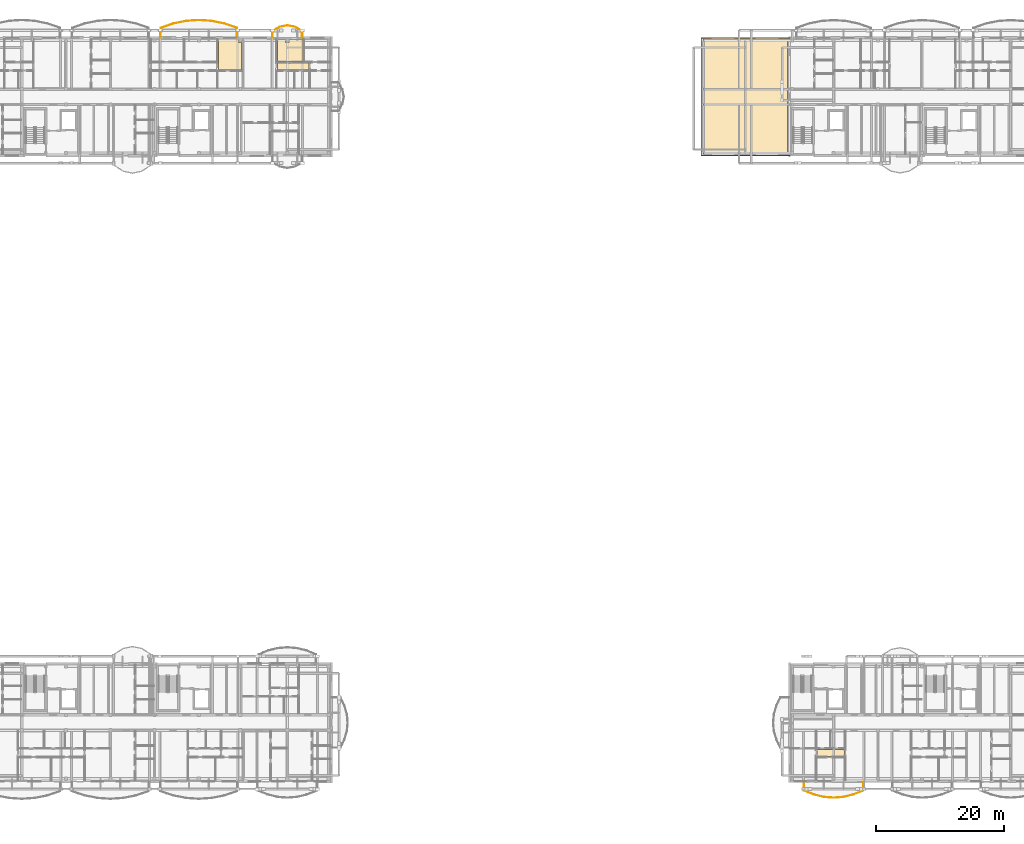
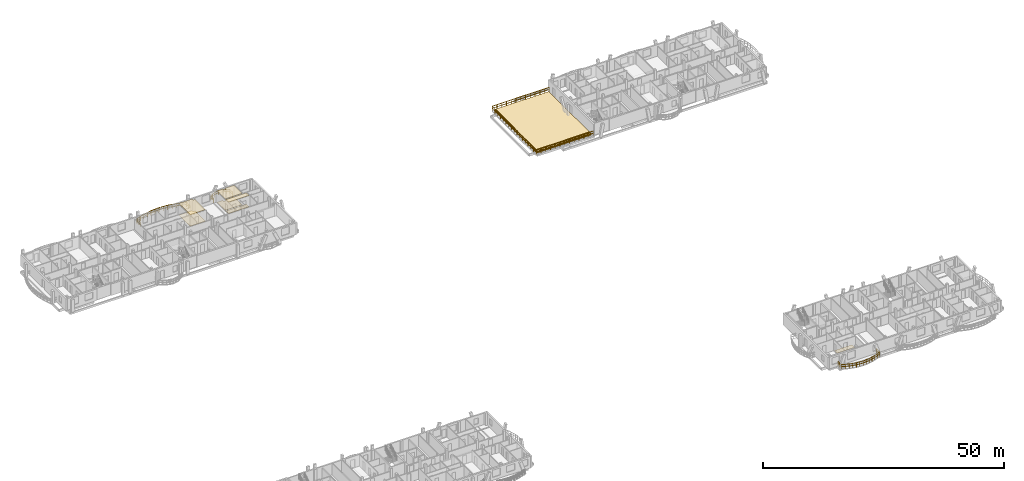
# One storey, part 40 of 44: 8 coverings, 4 railings.
"""IFC4 building model written with IfcOpenShell, lengths in metres."""

from ifc_helpers import new_model, si_unit, direction, frame, origin, origin_2d, place, context, subcontext, project, spatial, polyline, rectangle, outline, extrude, material, layer, layer_set, type_object, element, save


model = new_model("IFC4")

# Units and contexts
model_context = context("Model", 3, precision=1e-05, world=origin(), true_north=direction((0.0, 1.0)))
body_context = subcontext(model_context, "Body", "Model", "MODEL_VIEW")
ifc_project = project(units=[si_unit("LENGTHUNIT", "METRE"), si_unit("AREAUNIT", "SQUARE_METRE"), si_unit("VOLUMEUNIT", "CUBIC_METRE"), si_unit("PLANEANGLEUNIT", "RADIAN"), si_unit("MASSUNIT", "GRAM", prefix="KILO")], contexts=[model_context])

# Site, building, storey
site_placement = place(None, origin())
site = spatial("IfcSite", under=ifc_project, at=site_placement, CompositionType="ELEMENT")
building_placement = place(site_placement, origin())
building = spatial("IfcBuilding", under=site, at=building_placement, Name="Zavelmont Quarter", CompositionType="ELEMENT")
storey_placement = place(building_placement, frame((0.0, 0.0, 20.800048828125)))
storey = spatial("IfcBuildingStorey", under=building, at=storey_placement, Name="L06", CompositionType="ELEMENT", Elevation=20.800048828125)

# Coverings
ifc_material_1 = material(Name="Perforated acoustic gypsum board")
ifc_layer_1 = layer(ifc_material_1, 0.02490234375)
ifc_layer_set_1 = layer_set([ifc_layer_1], Name="Perforated acoustic gypsum board")
covering_type_1 = type_object("IfcCoveringType", Name="CV-CL01", PredefinedType="CEILING", material=ifc_layer_set_1)
covering_1_placement = place(storey_placement, frame((0.0, 0.0, 2.925048828125)))
element("IfcCovering", 1, at=covering_1_placement, inside=storey, type_object=covering_type_1, Name="L06 Master Bedroom acoustic ceiling", PredefinedType="CEILING", context=body_context, shape_type="SweptSolid", body=[
    extrude(outline(polyline([(37.530029296875, 115.719970703125), (40.695068359375, 115.719970703125), (40.695068359375, 115.294921875), (41.169921875, 115.294921875), (41.169921875, 110.97998046875), (37.530029296875, 110.97998046875), (37.530029296875, 115.719970703125)])), origin(), (0.0, 0.0, 1.0), 0.02490234375),
])
covering_2_placement = place(storey_placement, frame((0.0, 0.0, 2.885009765625)))
element("IfcCovering", 2, at=covering_2_placement, inside=storey, type_object=covering_type_1, Name="L06 Master Bedroom acoustic ceiling", PredefinedType="CEILING", context=body_context, shape_type="SweptSolid", body=[
    extrude(outline(polyline([(46.72998046875, 115.719970703125), (48.034912109375, 115.719970703125), (48.034912109375, 115.294921875), (48.56494140625, 115.294921875), (48.56494140625, 115.719970703125), (50.77001953125, 115.719970703125), (50.77001953125, 112.330078125), (46.72998046875, 112.330078125), (46.72998046875, 115.719970703125)])), origin(), (0.0, 0.0, 1.0), 0.02490234375),
])
ifc_material_2 = material(Name="Slatted European ash acoustic baffle ceiling")
ifc_layer_2 = layer(ifc_material_2, 0.0400390625)
ifc_layer_set_2 = layer_set([ifc_layer_2], Name="Slatted European ash acoustic baffle ceiling")
covering_type_2 = type_object("IfcCoveringType", Name="CV-CL02", PredefinedType="CEILING", material=ifc_layer_set_2)
covering_3_placement = place(storey_placement, frame((0.0, 0.0, 2.869873046875)))
element("IfcCovering", 3, at=covering_3_placement, inside=storey, type_object=covering_type_2, Name="L06 Apartment Hall acoustic ceiling", PredefinedType="CEILING", context=body_context, shape_type="SweptSolid", body=[
    extrude(outline(polyline([(46.72998046875, 112.070068359375), (51.669921875, 112.070068359375), (51.669921875, 110.97998046875), (46.72998046875, 110.97998046875), (46.72998046875, 112.070068359375)])), origin(), (0.0, 0.0, 1.0), 0.0400390625),
])
ifc_material_3 = material(Name="Engineered European oak parquet")
ifc_layer_3 = layer(ifc_material_3, 0.02197265625)
ifc_layer_set_3 = layer_set([ifc_layer_3], Name="Engineered European oak parquet")
covering_type_3 = type_object("IfcCoveringType", Name="CV-FL01", PredefinedType="FLOORING", material=ifc_layer_set_3)
covering_4_placement = place(storey_placement, origin())
element("IfcCovering", 4, at=covering_4_placement, inside=storey, type_object=covering_type_3, Name="L06 Master Bedroom floor finish", PredefinedType="FLOORING", context=body_context, shape_type="SweptSolid", body=[
    extrude(outline(polyline([(37.530029296875, 115.719970703125), (40.695068359375, 115.719970703125), (40.695068359375, 115.294921875), (41.169921875, 115.294921875), (41.169921875, 110.97998046875), (37.530029296875, 110.97998046875), (37.530029296875, 115.719970703125)])), origin(), (0.0, 0.0, 1.0), 0.02197265625),
])
covering_5_placement = place(storey_placement, origin())
element("IfcCovering", 5, at=covering_5_placement, inside=storey, type_object=covering_type_3, Name="L06 Master Bedroom floor finish", PredefinedType="FLOORING", context=body_context, shape_type="SweptSolid", body=[
    extrude(outline(polyline([(46.72998046875, 115.719970703125), (48.034912109375, 115.719970703125), (48.034912109375, 115.294921875), (48.56494140625, 115.294921875), (48.56494140625, 115.719970703125), (50.77001953125, 115.719970703125), (50.77001953125, 112.330078125), (46.72998046875, 112.330078125), (46.72998046875, 115.719970703125)])), origin(), (0.0, 0.0, 1.0), 0.02197265625),
])
ifc_material_4 = material(Name="Honed Belgian bluestone tile", Category="masonry")
ifc_layer_4 = layer(ifc_material_4, 0.030029296875)
ifc_layer_set_4 = layer_set([ifc_layer_4], Name="Honed Belgian bluestone tile")
covering_type_4 = type_object("IfcCoveringType", Name="CV-FL02", PredefinedType="FLOORING", material=ifc_layer_set_4)
covering_6_placement = place(storey_placement, origin())
element("IfcCovering", 6, at=covering_6_placement, inside=storey, type_object=covering_type_4, Name="L06 Apartment Hall floor finish", PredefinedType="FLOORING", context=body_context, shape_type="SweptSolid", body=[
    extrude(outline(polyline([(46.72998046875, 112.070068359375), (51.669921875, 112.070068359375), (51.669921875, 110.97998046875), (46.72998046875, 110.97998046875), (46.72998046875, 112.070068359375)])), origin(), (0.0, 0.0, 1.0), 0.030029296875),
])
covering_7_placement = place(storey_placement, origin())
element("IfcCovering", 7, at=covering_7_placement, inside=storey, type_object=covering_type_4, Name="L06 Apartment Hall floor finish", PredefinedType="FLOORING", context=body_context, shape_type="SweptSolid", body=[
    extrude(outline(polyline([(130.929931640625, 5.02001953125), (135.169921875, 5.02001953125), (135.169921875, 3.929931640625), (130.929931640625, 3.929931640625), (130.929931640625, 5.02001953125)])), origin(), (0.0, 0.0, 1.0), 0.030029296875),
])
ifc_material_5 = material(Name="EPDM waterproofing membrane and mineral insulation")
ifc_layer_5 = layer(ifc_material_5, 0.280029296875)
ifc_layer_set_5 = layer_set([ifc_layer_5], Name="EPDM waterproofing membrane and mineral insulation")
covering_type_5 = type_object("IfcCoveringType", Name="CV-RF02", PredefinedType="ROOFING", material=ifc_layer_set_5)
covering_8_placement = place(storey_placement, origin())
element("IfcCovering", 8, at=covering_8_placement, inside=storey, type_object=covering_type_5, Name="L06 roof build-up CV-RF02", PredefinedType="ROOFING", context=body_context, shape_type="SweptSolid", body=[
    extrude(outline(polyline([(113.10009765625, 97.89990234375), (126.300048828125, 97.89990234375), (126.300048828125, 115.699951171875), (113.10009765625, 115.699951171875), (113.10009765625, 97.89990234375)])), origin(), (0.0, 0.0, 1.0), 0.280029296875),
])

# Railings
ifc_material_6 = material(Name="Powder-coated steel and tempered double safety glass", Category="steel")
railing_type_1 = type_object("IfcRailingType", Name="RL-BAL1", PredefinedType="BALUSTRADE", material=ifc_material_6)
railing_1_placement = place(storey_placement, frame((40.445556640625, 116.02001953125, 0.0)))
element("IfcRailing", 9, at=railing_1_placement, inside=storey, type_object=railing_type_1, Name="L06 Block B curved balcony guard RL-BAL1", PredefinedType="BALUSTRADE", context=body_context, shape_type="SweptSolid", body=[
    extrude(rectangle(XDim=0.048095703125, YDim=0.048095703125, at=origin_2d()), frame((0.0, 0.0, 1.076171875), z_axis=(0.0, 1.0, 0.0), x_axis=(-1.0, 0.0, 0.0)), (0.0, 0.0, 1.0), 1.518798828125),
    extrude(rectangle(XDim=0.048095703125, YDim=0.048095703125, at=origin_2d()), frame((0.0, 0.0, 0.550048828125), z_axis=(0.0, 1.0, 0.0), x_axis=(-1.0, 0.0, 0.0)), (0.0, 0.0, 1.0), 1.518798828125),
    extrude(rectangle(XDim=0.048095703125, YDim=0.048095703125, at=origin_2d()), frame((0.0, 1.518798828125, 1.076171875), z_axis=(-0.94706106975, 0.321053469322, 0.0), x_axis=(-0.321053469322, -0.94706106975, 0.0)), (0.0, 0.0, 1.0), 2.0927734375),
    extrude(rectangle(XDim=0.048095703125, YDim=0.048095703125, at=origin_2d()), frame((0.0, 1.518798828125, 0.550048828125), z_axis=(-0.94706106975, 0.321053469322, 0.0), x_axis=(-0.321053469322, -0.94706106975, 0.0)), (0.0, 0.0, 1.0), 2.0927734375),
    extrude(rectangle(XDim=0.048095703125, YDim=0.048095703125, at=origin_2d()), frame((-1.98193359375, 2.190673828125, 1.076171875), z_axis=(-0.979934663998, 0.199318976255, 0.0), x_axis=(-0.199318976255, -0.979934663998, 0.0)), (0.0, 0.0, 1.0), 2.022216796875),
    extrude(rectangle(XDim=0.048095703125, YDim=0.048095703125, at=origin_2d()), frame((-1.98193359375, 2.190673828125, 0.550048828125), z_axis=(-0.979934663998, 0.199318976255, 0.0), x_axis=(-0.199318976255, -0.979934663998, 0.0)), (0.0, 0.0, 1.0), 2.022216796875),
    extrude(rectangle(XDim=0.048095703125, YDim=0.048095703125, at=origin_2d()), frame((-3.963623046875, 2.59375, 1.076171875), z_axis=(-0.997712793816, 0.067595717738, 0.0), x_axis=(-0.067595717738, -0.997712793816, 0.0)), (0.0, 0.0, 1.0), 1.986572265625),
    extrude(rectangle(XDim=0.048095703125, YDim=0.048095703125, at=origin_2d()), frame((-3.963623046875, 2.59375, 0.550048828125), z_axis=(-0.997712793816, 0.067595717738, 0.0), x_axis=(-0.067595717738, -0.997712793816, 0.0)), (0.0, 0.0, 1.0), 1.986572265625),
    extrude(rectangle(XDim=0.048095703125, YDim=0.048095703125, at=origin_2d()), frame((-5.945556640625, 2.72802734375, 1.076171875), z_axis=(-0.997712793816, -0.067595717738, 0.0), x_axis=(0.067595717738, -0.997712793816, 0.0)), (0.0, 0.0, 1.0), 1.986572265625),
    extrude(rectangle(XDim=0.048095703125, YDim=0.048095703125, at=origin_2d()), frame((-5.945556640625, 2.72802734375, 0.550048828125), z_axis=(-0.997712793816, -0.067595717738, 0.0), x_axis=(0.067595717738, -0.997712793816, 0.0)), (0.0, 0.0, 1.0), 1.986572265625),
    extrude(rectangle(XDim=0.048095703125, YDim=0.048095703125, at=origin_2d()), frame((-7.927490234375, 2.59375, 1.076171875), z_axis=(-0.979934663998, -0.199318976255, 0.0), x_axis=(0.199318976255, -0.979934663998, 0.0)), (0.0, 0.0, 1.0), 2.022216796875),
    extrude(rectangle(XDim=0.048095703125, YDim=0.048095703125, at=origin_2d()), frame((-7.927490234375, 2.59375, 0.550048828125), z_axis=(-0.979934663998, -0.199318976255, 0.0), x_axis=(0.199318976255, -0.979934663998, 0.0)), (0.0, 0.0, 1.0), 2.022216796875),
    extrude(rectangle(XDim=0.048095703125, YDim=0.048095703125, at=origin_2d()), frame((-9.9091796875, 2.190673828125, 1.076171875), z_axis=(-0.94706106975, -0.321053469322, 0.0), x_axis=(0.321053469322, -0.94706106975, 0.0)), (0.0, 0.0, 1.0), 2.0927734375),
    extrude(rectangle(XDim=0.048095703125, YDim=0.048095703125, at=origin_2d()), frame((-9.9091796875, 2.190673828125, 0.550048828125), z_axis=(-0.94706106975, -0.321053469322, 0.0), x_axis=(0.321053469322, -0.94706106975, 0.0)), (0.0, 0.0, 1.0), 2.0927734375),
    extrude(rectangle(XDim=0.048095703125, YDim=0.048095703125, at=origin_2d()), frame((-11.89111328125, 1.518798828125, 1.076171875), z_axis=(0.0, -1.0, 0.0), x_axis=(1.0, 0.0, 0.0)), (0.0, 0.0, 1.0), 1.518798828125),
    extrude(rectangle(XDim=0.048095703125, YDim=0.048095703125, at=origin_2d()), frame((-11.89111328125, 1.518798828125, 0.550048828125), z_axis=(0.0, -1.0, 0.0), x_axis=(1.0, 0.0, 0.0)), (0.0, 0.0, 1.0), 1.518798828125),
    extrude(rectangle(XDim=0.0419921875, YDim=0.0419921875, at=origin_2d()), origin(), (0.0, 0.0, 1.0), 1.052001953125),
    extrude(rectangle(XDim=0.0419921875, YDim=0.0419921875, at=origin_2d()), frame((0.0, 0.75927734375, 0.0)), (0.0, 0.0, 1.0), 1.052001953125),
    extrude(rectangle(XDim=0.0419921875, YDim=0.0419921875, at=origin_2d()), frame((0.0, 1.518798828125, 0.0)), (0.0, 0.0, 1.0), 1.052001953125),
    extrude(rectangle(XDim=0.0419921875, YDim=0.0419921875, at=origin_2d()), frame((-0.990966796875, 1.854736328125, 0.0)), (0.0, 0.0, 1.0), 1.052001953125),
    extrude(rectangle(XDim=0.0419921875, YDim=0.0419921875, at=origin_2d()), frame((-1.98193359375, 2.190673828125, 0.0)), (0.0, 0.0, 1.0), 1.052001953125),
    extrude(rectangle(XDim=0.0419921875, YDim=0.0419921875, at=origin_2d()), frame((-2.97265625, 2.39208984375, 0.0)), (0.0, 0.0, 1.0), 1.052001953125),
    extrude(rectangle(XDim=0.0419921875, YDim=0.0419921875, at=origin_2d()), frame((-3.963623046875, 2.59375, 0.0)), (0.0, 0.0, 1.0), 1.052001953125),
    extrude(rectangle(XDim=0.0419921875, YDim=0.0419921875, at=origin_2d()), frame((-4.95458984375, 2.660888671875, 0.0)), (0.0, 0.0, 1.0), 1.052001953125),
    extrude(rectangle(XDim=0.0419921875, YDim=0.0419921875, at=origin_2d()), frame((-5.945556640625, 2.72802734375, 0.0)), (0.0, 0.0, 1.0), 1.052001953125),
    extrude(rectangle(XDim=0.0419921875, YDim=0.0419921875, at=origin_2d()), frame((-6.9365234375, 2.660888671875, 0.0)), (0.0, 0.0, 1.0), 1.052001953125),
    extrude(rectangle(XDim=0.0419921875, YDim=0.0419921875, at=origin_2d()), frame((-7.927490234375, 2.59375, 0.0)), (0.0, 0.0, 1.0), 1.052001953125),
    extrude(rectangle(XDim=0.0419921875, YDim=0.0419921875, at=origin_2d()), frame((-8.91845703125, 2.39208984375, 0.0)), (0.0, 0.0, 1.0), 1.052001953125),
    extrude(rectangle(XDim=0.0419921875, YDim=0.0419921875, at=origin_2d()), frame((-9.9091796875, 2.190673828125, 0.0)), (0.0, 0.0, 1.0), 1.052001953125),
    extrude(rectangle(XDim=0.0419921875, YDim=0.0419921875, at=origin_2d()), frame((-10.900146484375, 1.854736328125, 0.0)), (0.0, 0.0, 1.0), 1.052001953125),
    extrude(rectangle(XDim=0.0419921875, YDim=0.0419921875, at=origin_2d()), frame((-11.89111328125, 1.518798828125, 0.0)), (0.0, 0.0, 1.0), 1.052001953125),
    extrude(rectangle(XDim=0.0419921875, YDim=0.0419921875, at=origin_2d()), frame((-11.89111328125, 0.75927734375, 0.0)), (0.0, 0.0, 1.0), 1.052001953125),
    extrude(rectangle(XDim=0.0419921875, YDim=0.0419921875, at=origin_2d()), frame((-11.89111328125, 0.0, 0.0)), (0.0, 0.0, 1.0), 1.052001953125),
])
railing_2_placement = place(storey_placement, frame((50.5654296875, 116.02001953125, 0.0)))
element("IfcRailing", 10, at=railing_2_placement, inside=storey, type_object=railing_type_1, Name="L06 Block B curved balcony guard RL-BAL1", PredefinedType="BALUSTRADE", context=body_context, shape_type="SweptSolid", body=[
    extrude(rectangle(XDim=0.048095703125, YDim=0.048095703125, at=origin_2d()), frame((0.0, 0.0, 1.076171875), z_axis=(0.0, 1.0, 0.0), x_axis=(-1.0, 0.0, 0.0)), (0.0, 0.0, 1.0), 1.080078125),
    extrude(rectangle(XDim=0.048095703125, YDim=0.048095703125, at=origin_2d()), frame((0.0, 0.0, 0.550048828125), z_axis=(0.0, 1.0, 0.0), x_axis=(-1.0, 0.0, 0.0)), (0.0, 0.0, 1.0), 1.080078125),
    extrude(rectangle(XDim=0.048095703125, YDim=0.048095703125, at=origin_2d()), frame((0.0, 1.080078125, 1.076171875), z_axis=(-0.87908029831, 0.47667371348, 0.0), x_axis=(-0.47667371348, -0.87908029831, 0.0)), (0.0, 0.0, 1.0), 1.28857421875),
    extrude(rectangle(XDim=0.048095703125, YDim=0.048095703125, at=origin_2d()), frame((0.0, 1.080078125, 0.550048828125), z_axis=(-0.87908029831, 0.47667371348, 0.0), x_axis=(-0.47667371348, -0.87908029831, 0.0)), (0.0, 0.0, 1.0), 1.28857421875),
    extrude(rectangle(XDim=0.048095703125, YDim=0.048095703125, at=origin_2d()), frame((-1.1328125, 1.6943359375, 1.076171875), z_axis=(-0.984072917744, 0.177765273781, 0.0), x_axis=(-0.177765273781, -0.984072917744, 0.0)), (0.0, 0.0, 1.0), 1.15087890625),
    extrude(rectangle(XDim=0.048095703125, YDim=0.048095703125, at=origin_2d()), frame((-1.1328125, 1.6943359375, 0.550048828125), z_axis=(-0.984072917744, 0.177765273781, 0.0), x_axis=(-0.177765273781, -0.984072917744, 0.0)), (0.0, 0.0, 1.0), 1.15087890625),
    extrude(rectangle(XDim=0.048095703125, YDim=0.048095703125, at=origin_2d()), frame((-2.265380859375, 1.89892578125, 1.076171875), z_axis=(-0.984079619071, -0.177728172582, 0.0), x_axis=(0.177728172582, -0.984079619071, 0.0)), (0.0, 0.0, 1.0), 1.151123046875),
    extrude(rectangle(XDim=0.048095703125, YDim=0.048095703125, at=origin_2d()), frame((-2.265380859375, 1.89892578125, 0.550048828125), z_axis=(-0.984079619071, -0.177728172582, 0.0), x_axis=(0.177728172582, -0.984079619071, 0.0)), (0.0, 0.0, 1.0), 1.151123046875),
    extrude(rectangle(XDim=0.048095703125, YDim=0.048095703125, at=origin_2d()), frame((-3.398193359375, 1.6943359375, 1.076171875), z_axis=(-0.87908029831, -0.47667371348, 0.0), x_axis=(0.47667371348, -0.87908029831, 0.0)), (0.0, 0.0, 1.0), 1.28857421875),
    extrude(rectangle(XDim=0.048095703125, YDim=0.048095703125, at=origin_2d()), frame((-3.398193359375, 1.6943359375, 0.550048828125), z_axis=(-0.87908029831, -0.47667371348, 0.0), x_axis=(0.47667371348, -0.87908029831, 0.0)), (0.0, 0.0, 1.0), 1.28857421875),
    extrude(rectangle(XDim=0.048095703125, YDim=0.048095703125, at=origin_2d()), frame((-4.531005859375, 1.080078125, 1.076171875), z_axis=(0.0, -1.0, 0.0), x_axis=(1.0, 0.0, 0.0)), (0.0, 0.0, 1.0), 1.080078125),
    extrude(rectangle(XDim=0.048095703125, YDim=0.048095703125, at=origin_2d()), frame((-4.531005859375, 1.080078125, 0.550048828125), z_axis=(0.0, -1.0, 0.0), x_axis=(1.0, 0.0, 0.0)), (0.0, 0.0, 1.0), 1.080078125),
    extrude(rectangle(XDim=0.0419921875, YDim=0.0419921875, at=origin_2d()), origin(), (0.0, 0.0, 1.0), 1.052001953125),
    extrude(rectangle(XDim=0.0419921875, YDim=0.0419921875, at=origin_2d()), frame((0.0, 1.080078125, 0.0)), (0.0, 0.0, 1.0), 1.052001953125),
    extrude(rectangle(XDim=0.0419921875, YDim=0.0419921875, at=origin_2d()), frame((-0.56640625, 1.38720703125, 0.0)), (0.0, 0.0, 1.0), 1.052001953125),
    extrude(rectangle(XDim=0.0419921875, YDim=0.0419921875, at=origin_2d()), frame((-1.1328125, 1.6943359375, 0.0)), (0.0, 0.0, 1.0), 1.052001953125),
    extrude(rectangle(XDim=0.0419921875, YDim=0.0419921875, at=origin_2d()), frame((-2.265380859375, 1.89892578125, 0.0)), (0.0, 0.0, 1.0), 1.052001953125),
    extrude(rectangle(XDim=0.0419921875, YDim=0.0419921875, at=origin_2d()), frame((-3.398193359375, 1.6943359375, 0.0)), (0.0, 0.0, 1.0), 1.052001953125),
    extrude(rectangle(XDim=0.0419921875, YDim=0.0419921875, at=origin_2d()), frame((-3.964599609375, 1.38720703125, 0.0)), (0.0, 0.0, 1.0), 1.052001953125),
    extrude(rectangle(XDim=0.0419921875, YDim=0.0419921875, at=origin_2d()), frame((-4.531005859375, 1.080078125, 0.0)), (0.0, 0.0, 1.0), 1.052001953125),
    extrude(rectangle(XDim=0.0419921875, YDim=0.0419921875, at=origin_2d()), frame((-4.531005859375, 0.0, 0.0)), (0.0, 0.0, 1.0), 1.052001953125),
])
railing_3_placement = place(storey_placement, frame((128.88525390625, -0.02001953125, 0.0)))
element("IfcRailing", 11, at=railing_3_placement, inside=storey, type_object=railing_type_1, Name="L06 Block D curved balcony guard RL-BAL1", PredefinedType="BALUSTRADE", context=body_context, shape_type="SweptSolid", body=[
    extrude(rectangle(XDim=0.048095703125, YDim=0.048095703125, at=origin_2d()), frame((0.0, 0.0, 1.076171875), z_axis=(0.0, -1.0, 0.0), x_axis=(1.0, 0.0, 0.0)), (0.0, 0.0, 1.0), 1.392333984375),
    extrude(rectangle(XDim=0.048095703125, YDim=0.048095703125, at=origin_2d()), frame((0.0, 0.0, 0.550048828125), z_axis=(0.0, -1.0, 0.0), x_axis=(1.0, 0.0, 0.0)), (0.0, 0.0, 1.0), 1.392333984375),
    extrude(rectangle(XDim=0.048095703125, YDim=0.048095703125, at=origin_2d()), frame((0.0, -1.392333984375, 1.076171875), z_axis=(0.928242832261, -0.371974789947, 0.0), x_axis=(0.371974789947, 0.928242832261, 0.0)), (0.0, 0.0, 1.0), 1.6572265625),
    extrude(rectangle(XDim=0.048095703125, YDim=0.048095703125, at=origin_2d()), frame((0.0, -1.392333984375, 0.550048828125), z_axis=(0.928242832261, -0.371974789947, 0.0), x_axis=(0.371974789947, 0.928242832261, 0.0)), (0.0, 0.0, 1.0), 1.6572265625),
    extrude(rectangle(XDim=0.048095703125, YDim=0.048095703125, at=origin_2d()), frame((1.538330078125, -2.0087890625, 1.076171875), z_axis=(0.972290572243, -0.233775625607, 0.0), x_axis=(0.233775625607, 0.972290572243, 0.0)), (0.0, 0.0, 1.0), 1.582275390625),
    extrude(rectangle(XDim=0.048095703125, YDim=0.048095703125, at=origin_2d()), frame((1.538330078125, -2.0087890625, 0.550048828125), z_axis=(0.972290572243, -0.233775625607, 0.0), x_axis=(0.233775625607, 0.972290572243, 0.0)), (0.0, 0.0, 1.0), 1.582275390625),
    extrude(rectangle(XDim=0.048095703125, YDim=0.048095703125, at=origin_2d()), frame((3.07666015625, -2.378662109375, 1.076171875), z_axis=(0.996802688821, -0.079902437755, 0.0), x_axis=(0.079902437755, 0.996802688821, 0.0)), (0.0, 0.0, 1.0), 1.54296875),
    extrude(rectangle(XDim=0.048095703125, YDim=0.048095703125, at=origin_2d()), frame((3.07666015625, -2.378662109375, 0.550048828125), z_axis=(0.996802688821, -0.079902437755, 0.0), x_axis=(0.079902437755, 0.996802688821, 0.0)), (0.0, 0.0, 1.0), 1.54296875),
    extrude(rectangle(XDim=0.048095703125, YDim=0.048095703125, at=origin_2d()), frame((4.61474609375, -2.501953125, 1.076171875), z_axis=(0.996802688821, 0.079902437755, 0.0), x_axis=(-0.079902437755, 0.996802688821, 0.0)), (0.0, 0.0, 1.0), 1.54296875),
    extrude(rectangle(XDim=0.048095703125, YDim=0.048095703125, at=origin_2d()), frame((4.61474609375, -2.501953125, 0.550048828125), z_axis=(0.996802688821, 0.079902437755, 0.0), x_axis=(-0.079902437755, 0.996802688821, 0.0)), (0.0, 0.0, 1.0), 1.54296875),
    extrude(rectangle(XDim=0.048095703125, YDim=0.048095703125, at=origin_2d()), frame((6.15283203125, -2.378662109375, 1.076171875), z_axis=(0.972290572243, 0.233775625607, 0.0), x_axis=(-0.233775625607, 0.972290572243, 0.0)), (0.0, 0.0, 1.0), 1.582275390625),
    extrude(rectangle(XDim=0.048095703125, YDim=0.048095703125, at=origin_2d()), frame((6.15283203125, -2.378662109375, 0.550048828125), z_axis=(0.972290572243, 0.233775625607, 0.0), x_axis=(-0.233775625607, 0.972290572243, 0.0)), (0.0, 0.0, 1.0), 1.582275390625),
    extrude(rectangle(XDim=0.048095703125, YDim=0.048095703125, at=origin_2d()), frame((7.691162109375, -2.0087890625, 1.076171875), z_axis=(0.928242832261, 0.371974789947, 0.0), x_axis=(-0.371974789947, 0.928242832261, 0.0)), (0.0, 0.0, 1.0), 1.6572265625),
    extrude(rectangle(XDim=0.048095703125, YDim=0.048095703125, at=origin_2d()), frame((7.691162109375, -2.0087890625, 0.550048828125), z_axis=(0.928242832261, 0.371974789947, 0.0), x_axis=(-0.371974789947, 0.928242832261, 0.0)), (0.0, 0.0, 1.0), 1.6572265625),
    extrude(rectangle(XDim=0.048095703125, YDim=0.048095703125, at=origin_2d()), frame((9.2294921875, -1.392333984375, 1.076171875), z_axis=(0.0, 1.0, 0.0), x_axis=(-1.0, 0.0, 0.0)), (0.0, 0.0, 1.0), 1.392333984375),
    extrude(rectangle(XDim=0.048095703125, YDim=0.048095703125, at=origin_2d()), frame((9.2294921875, -1.392333984375, 0.550048828125), z_axis=(0.0, 1.0, 0.0), x_axis=(-1.0, 0.0, 0.0)), (0.0, 0.0, 1.0), 1.392333984375),
    extrude(rectangle(XDim=0.0419921875, YDim=0.0419921875, at=origin_2d()), origin(), (0.0, 0.0, 1.0), 1.052001953125),
    extrude(rectangle(XDim=0.0419921875, YDim=0.0419921875, at=origin_2d()), frame((0.0, -0.6962890625, 0.0)), (0.0, 0.0, 1.0), 1.052001953125),
    extrude(rectangle(XDim=0.0419921875, YDim=0.0419921875, at=origin_2d()), frame((0.0, -1.392333984375, 0.0)), (0.0, 0.0, 1.0), 1.052001953125),
    extrude(rectangle(XDim=0.0419921875, YDim=0.0419921875, at=origin_2d()), frame((0.76904296875, -1.70068359375, 0.0)), (0.0, 0.0, 1.0), 1.052001953125),
    extrude(rectangle(XDim=0.0419921875, YDim=0.0419921875, at=origin_2d()), frame((1.538330078125, -2.0087890625, 0.0)), (0.0, 0.0, 1.0), 1.052001953125),
    extrude(rectangle(XDim=0.0419921875, YDim=0.0419921875, at=origin_2d()), frame((2.3076171875, -2.19384765625, 0.0)), (0.0, 0.0, 1.0), 1.052001953125),
    extrude(rectangle(XDim=0.0419921875, YDim=0.0419921875, at=origin_2d()), frame((3.07666015625, -2.378662109375, 0.0)), (0.0, 0.0, 1.0), 1.052001953125),
    extrude(rectangle(XDim=0.0419921875, YDim=0.0419921875, at=origin_2d()), frame((3.845703125, -2.4404296875, 0.0)), (0.0, 0.0, 1.0), 1.052001953125),
    extrude(rectangle(XDim=0.0419921875, YDim=0.0419921875, at=origin_2d()), frame((4.61474609375, -2.501953125, 0.0)), (0.0, 0.0, 1.0), 1.052001953125),
    extrude(rectangle(XDim=0.0419921875, YDim=0.0419921875, at=origin_2d()), frame((5.3837890625, -2.4404296875, 0.0)), (0.0, 0.0, 1.0), 1.052001953125),
    extrude(rectangle(XDim=0.0419921875, YDim=0.0419921875, at=origin_2d()), frame((6.15283203125, -2.378662109375, 0.0)), (0.0, 0.0, 1.0), 1.052001953125),
    extrude(rectangle(XDim=0.0419921875, YDim=0.0419921875, at=origin_2d()), frame((6.921875, -2.19384765625, 0.0)), (0.0, 0.0, 1.0), 1.052001953125),
    extrude(rectangle(XDim=0.0419921875, YDim=0.0419921875, at=origin_2d()), frame((7.691162109375, -2.0087890625, 0.0)), (0.0, 0.0, 1.0), 1.052001953125),
    extrude(rectangle(XDim=0.0419921875, YDim=0.0419921875, at=origin_2d()), frame((8.46044921875, -1.70068359375, 0.0)), (0.0, 0.0, 1.0), 1.052001953125),
    extrude(rectangle(XDim=0.0419921875, YDim=0.0419921875, at=origin_2d()), frame((9.2294921875, -1.392333984375, 0.0)), (0.0, 0.0, 1.0), 1.052001953125),
    extrude(rectangle(XDim=0.0419921875, YDim=0.0419921875, at=origin_2d()), frame((9.2294921875, -0.6962890625, 0.0)), (0.0, 0.0, 1.0), 1.052001953125),
    extrude(rectangle(XDim=0.0419921875, YDim=0.0419921875, at=origin_2d()), frame((9.2294921875, 0.0, 0.0)), (0.0, 0.0, 1.0), 1.052001953125),
])
railing_type_2 = type_object("IfcRailingType", Name="RL-TER1", PredefinedType="BALUSTRADE", material=ifc_material_6)
railing_4_placement = place(storey_placement, frame((126.60009765625, 97.64990234375, 0.0)))
element("IfcRailing", 12, at=railing_4_placement, inside=storey, type_object=railing_type_2, Name="L06 Block C setback terrace guard RL-TER1", PredefinedType="BALUSTRADE", context=body_context, shape_type="SweptSolid", body=[
    extrude(rectangle(XDim=0.048095703125, YDim=0.048095703125, at=origin_2d()), frame((0.0, 0.0, 1.09619140625), z_axis=(-1.0, 0.0, 0.0), x_axis=(0.0, -1.0, 0.0)), (0.0, 0.0, 1.0), 13.75),
    extrude(rectangle(XDim=0.048095703125, YDim=0.048095703125, at=origin_2d()), frame((0.0, 0.0, 0.56005859375), z_axis=(-1.0, 0.0, 0.0), x_axis=(0.0, -1.0, 0.0)), (0.0, 0.0, 1.0), 13.75),
    extrude(rectangle(XDim=0.048095703125, YDim=0.048095703125, at=origin_2d()), frame((-13.75, 0.0, 1.09619140625), z_axis=(0.0, 1.0, 0.0), x_axis=(-1.0, 0.0, 0.0)), (0.0, 0.0, 1.0), 18.300048828125),
    extrude(rectangle(XDim=0.048095703125, YDim=0.048095703125, at=origin_2d()), frame((-13.75, 0.0, 0.56005859375), z_axis=(0.0, 1.0, 0.0), x_axis=(-1.0, 0.0, 0.0)), (0.0, 0.0, 1.0), 18.300048828125),
    extrude(rectangle(XDim=0.048095703125, YDim=0.048095703125, at=origin_2d()), frame((-13.75, 18.300048828125, 1.09619140625), z_axis=(1.0, 0.0, 0.0), x_axis=(0.0, 1.0, 0.0)), (0.0, 0.0, 1.0), 13.75),
    extrude(rectangle(XDim=0.048095703125, YDim=0.048095703125, at=origin_2d()), frame((-13.75, 18.300048828125, 0.56005859375), z_axis=(1.0, 0.0, 0.0), x_axis=(0.0, 1.0, 0.0)), (0.0, 0.0, 1.0), 13.75),
    extrude(rectangle(XDim=0.0419921875, YDim=0.0419921875, at=origin_2d()), origin(), (0.0, 0.0, 1.0), 1.072021484375),
    extrude(rectangle(XDim=0.0419921875, YDim=0.0419921875, at=origin_2d()), frame((-1.145751953125, 0.0, 0.0)), (0.0, 0.0, 1.0), 1.072021484375),
    extrude(rectangle(XDim=0.0419921875, YDim=0.0419921875, at=origin_2d()), frame((-2.291748046875, 0.0, 0.0)), (0.0, 0.0, 1.0), 1.072021484375),
    extrude(rectangle(XDim=0.0419921875, YDim=0.0419921875, at=origin_2d()), frame((-3.4375, 0.0, 0.0)), (0.0, 0.0, 1.0), 1.072021484375),
    extrude(rectangle(XDim=0.0419921875, YDim=0.0419921875, at=origin_2d()), frame((-4.583251953125, 0.0, 0.0)), (0.0, 0.0, 1.0), 1.072021484375),
    extrude(rectangle(XDim=0.0419921875, YDim=0.0419921875, at=origin_2d()), frame((-5.729248046875, 0.0, 0.0)), (0.0, 0.0, 1.0), 1.072021484375),
    extrude(rectangle(XDim=0.0419921875, YDim=0.0419921875, at=origin_2d()), frame((-6.875, 0.0, 0.0)), (0.0, 0.0, 1.0), 1.072021484375),
    extrude(rectangle(XDim=0.0419921875, YDim=0.0419921875, at=origin_2d()), frame((-8.020751953125, 0.0, 0.0)), (0.0, 0.0, 1.0), 1.072021484375),
    extrude(rectangle(XDim=0.0419921875, YDim=0.0419921875, at=origin_2d()), frame((-9.166748046875, 0.0, 0.0)), (0.0, 0.0, 1.0), 1.072021484375),
    extrude(rectangle(XDim=0.0419921875, YDim=0.0419921875, at=origin_2d()), frame((-10.3125, 0.0, 0.0)), (0.0, 0.0, 1.0), 1.072021484375),
    extrude(rectangle(XDim=0.0419921875, YDim=0.0419921875, at=origin_2d()), frame((-11.458251953125, 0.0, 0.0)), (0.0, 0.0, 1.0), 1.072021484375),
    extrude(rectangle(XDim=0.0419921875, YDim=0.0419921875, at=origin_2d()), frame((-12.604248046875, 0.0, 0.0)), (0.0, 0.0, 1.0), 1.072021484375),
    extrude(rectangle(XDim=0.0419921875, YDim=0.0419921875, at=origin_2d()), frame((-13.75, 0.0, 0.0)), (0.0, 0.0, 1.0), 1.072021484375),
    extrude(rectangle(XDim=0.0419921875, YDim=0.0419921875, at=origin_2d()), frame((-13.75, 1.143798828125, 0.0)), (0.0, 0.0, 1.0), 1.072021484375),
    extrude(rectangle(XDim=0.0419921875, YDim=0.0419921875, at=origin_2d()), frame((-13.75, 2.28759765625, 0.0)), (0.0, 0.0, 1.0), 1.072021484375),
    extrude(rectangle(XDim=0.0419921875, YDim=0.0419921875, at=origin_2d()), frame((-13.75, 3.43115234375, 0.0)), (0.0, 0.0, 1.0), 1.072021484375),
    extrude(rectangle(XDim=0.0419921875, YDim=0.0419921875, at=origin_2d()), frame((-13.75, 4.574951171875, 0.0)), (0.0, 0.0, 1.0), 1.072021484375),
    extrude(rectangle(XDim=0.0419921875, YDim=0.0419921875, at=origin_2d()), frame((-13.75, 5.71875, 0.0)), (0.0, 0.0, 1.0), 1.072021484375),
    extrude(rectangle(XDim=0.0419921875, YDim=0.0419921875, at=origin_2d()), frame((-13.75, 6.862548828125, 0.0)), (0.0, 0.0, 1.0), 1.072021484375),
    extrude(rectangle(XDim=0.0419921875, YDim=0.0419921875, at=origin_2d()), frame((-13.75, 8.00634765625, 0.0)), (0.0, 0.0, 1.0), 1.072021484375),
    extrude(rectangle(XDim=0.0419921875, YDim=0.0419921875, at=origin_2d()), frame((-13.75, 9.14990234375, 0.0)), (0.0, 0.0, 1.0), 1.072021484375),
    extrude(rectangle(XDim=0.0419921875, YDim=0.0419921875, at=origin_2d()), frame((-13.75, 10.293701171875, 0.0)), (0.0, 0.0, 1.0), 1.072021484375),
    extrude(rectangle(XDim=0.0419921875, YDim=0.0419921875, at=origin_2d()), frame((-13.75, 11.4375, 0.0)), (0.0, 0.0, 1.0), 1.072021484375),
    extrude(rectangle(XDim=0.0419921875, YDim=0.0419921875, at=origin_2d()), frame((-13.75, 12.581298828125, 0.0)), (0.0, 0.0, 1.0), 1.072021484375),
    extrude(rectangle(XDim=0.0419921875, YDim=0.0419921875, at=origin_2d()), frame((-13.75, 13.72509765625, 0.0)), (0.0, 0.0, 1.0), 1.072021484375),
    extrude(rectangle(XDim=0.0419921875, YDim=0.0419921875, at=origin_2d()), frame((-13.75, 14.868896484375, 0.0)), (0.0, 0.0, 1.0), 1.072021484375),
    extrude(rectangle(XDim=0.0419921875, YDim=0.0419921875, at=origin_2d()), frame((-13.75, 16.012451171875, 0.0)), (0.0, 0.0, 1.0), 1.072021484375),
    extrude(rectangle(XDim=0.0419921875, YDim=0.0419921875, at=origin_2d()), frame((-13.75, 17.15625, 0.0)), (0.0, 0.0, 1.0), 1.072021484375),
    extrude(rectangle(XDim=0.0419921875, YDim=0.0419921875, at=origin_2d()), frame((-13.75, 18.300048828125, 0.0)), (0.0, 0.0, 1.0), 1.072021484375),
    extrude(rectangle(XDim=0.0419921875, YDim=0.0419921875, at=origin_2d()), frame((-12.604248046875, 18.300048828125, 0.0)), (0.0, 0.0, 1.0), 1.072021484375),
    extrude(rectangle(XDim=0.0419921875, YDim=0.0419921875, at=origin_2d()), frame((-11.458251953125, 18.300048828125, 0.0)), (0.0, 0.0, 1.0), 1.072021484375),
    extrude(rectangle(XDim=0.0419921875, YDim=0.0419921875, at=origin_2d()), frame((-10.3125, 18.300048828125, 0.0)), (0.0, 0.0, 1.0), 1.072021484375),
    extrude(rectangle(XDim=0.0419921875, YDim=0.0419921875, at=origin_2d()), frame((-9.166748046875, 18.300048828125, 0.0)), (0.0, 0.0, 1.0), 1.072021484375),
    extrude(rectangle(XDim=0.0419921875, YDim=0.0419921875, at=origin_2d()), frame((-8.020751953125, 18.300048828125, 0.0)), (0.0, 0.0, 1.0), 1.072021484375),
    extrude(rectangle(XDim=0.0419921875, YDim=0.0419921875, at=origin_2d()), frame((-6.875, 18.300048828125, 0.0)), (0.0, 0.0, 1.0), 1.072021484375),
    extrude(rectangle(XDim=0.0419921875, YDim=0.0419921875, at=origin_2d()), frame((-5.729248046875, 18.300048828125, 0.0)), (0.0, 0.0, 1.0), 1.072021484375),
    extrude(rectangle(XDim=0.0419921875, YDim=0.0419921875, at=origin_2d()), frame((-4.583251953125, 18.300048828125, 0.0)), (0.0, 0.0, 1.0), 1.072021484375),
    extrude(rectangle(XDim=0.0419921875, YDim=0.0419921875, at=origin_2d()), frame((-3.4375, 18.300048828125, 0.0)), (0.0, 0.0, 1.0), 1.072021484375),
    extrude(rectangle(XDim=0.0419921875, YDim=0.0419921875, at=origin_2d()), frame((-2.291748046875, 18.300048828125, 0.0)), (0.0, 0.0, 1.0), 1.072021484375),
    extrude(rectangle(XDim=0.0419921875, YDim=0.0419921875, at=origin_2d()), frame((-1.145751953125, 18.300048828125, 0.0)), (0.0, 0.0, 1.0), 1.072021484375),
    extrude(rectangle(XDim=0.0419921875, YDim=0.0419921875, at=origin_2d()), frame((0.0, 18.300048828125, 0.0)), (0.0, 0.0, 1.0), 1.072021484375),
])

save(model, "model.ifc")
